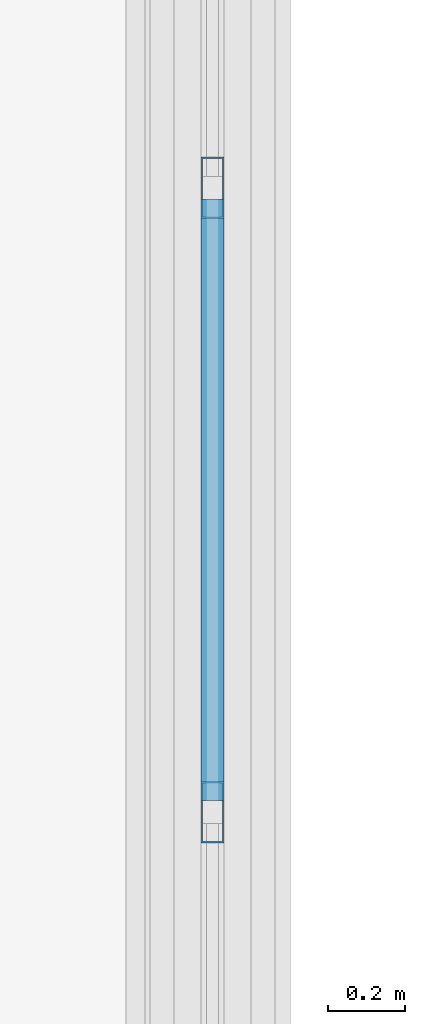
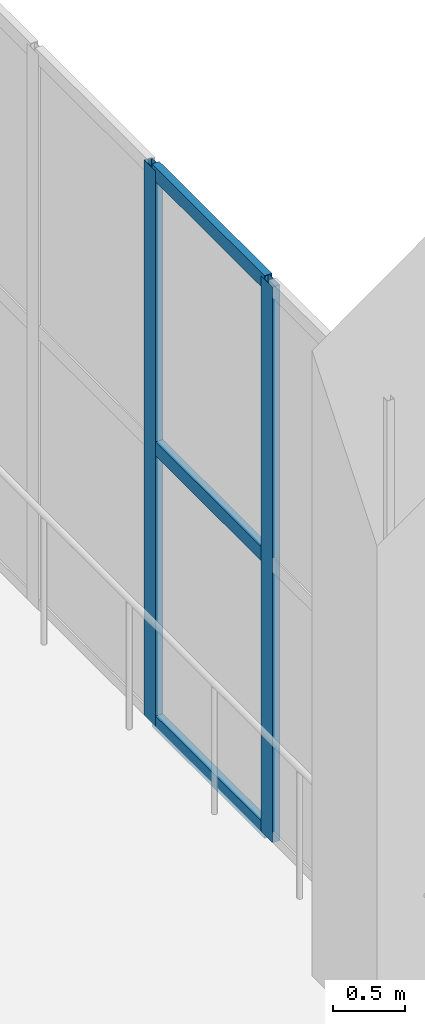
# One storey, part 110 of 223: 5 members, 1 element without a shape of its own.
"""IFC4 building model written with IfcOpenShell, lengths in metres."""

from ifc_helpers import new_model, si_unit, direction, frame, origin, origin_2d, place, context, subcontext, project, spatial, hollow_rectangle, extrude, material, layer, layer_set, material_profile, profile_set, type_object, element, aggregate, save


model = new_model("IFC4")

# Units and contexts
model_context = context("Model", 3, precision=1e-05, world=origin(), true_north=direction((0.0, 1.0)))
body_context = subcontext(model_context, "Body", "Model", "MODEL_VIEW")
ifc_project = project(units=[si_unit("LENGTHUNIT", "METRE"), si_unit("AREAUNIT", "SQUARE_METRE"), si_unit("VOLUMEUNIT", "CUBIC_METRE"), si_unit("PLANEANGLEUNIT", "RADIAN"), si_unit("MASSUNIT", "GRAM", prefix="KILO")], contexts=[model_context])

# Site, building, storey
site_placement = place(None, origin())
site = spatial("IfcSite", under=ifc_project, at=site_placement, CompositionType="ELEMENT")
building_placement = place(site_placement, origin())
building = spatial("IfcBuilding", under=site, at=building_placement, Name="Dornveld Trade and Exhibition Forum", CompositionType="ELEMENT")
storey_placement = place(building_placement, frame((0.0, 0.0, 6.0)))
storey = spatial("IfcBuildingStorey", under=building, at=storey_placement, Name="L01", CompositionType="ELEMENT", Elevation=6.0)

# Curtain wall, members
ifc_material_1 = material(Name="Dark-bronze anodised aluminium and low-E glass", Category="aluminium")
ifc_layer = layer(ifc_material_1, 0.177978515625)
ifc_layer_set = layer_set([ifc_layer], Name="Dark-bronze anodised aluminium and low-E glass")
curtain_wall_type = type_object("IfcCurtainWallType", Name="CW-SYS-12", PredefinedType="USERDEFINED", material=ifc_layer_set)
curtain_wall_placement = place(storey_placement, origin())
curtain_wall = element("IfcCurtainWall", 1, at=curtain_wall_placement, inside=storey, type_object=curtain_wall_type, Name="L01 unitised curtain wall 12", ObjectType="UNITISED_CURTAIN_WALL", PredefinedType="USERDEFINED")
ifc_material_2 = material(Name="Dark-bronze anodised aluminium", Category="aluminium")
ifc_material_profile_1 = material_profile(ifc_material_2, hollow_rectangle(XDim=0.06005859375, YDim=0.159912109375, WallThickness=0.00390625, at=origin_2d()), Name="RHS 160x60x4")
ifc_profile_set_1 = profile_set([ifc_material_profile_1], Name="Dark-bronze anodised aluminium")
member_type_1 = type_object("IfcMemberType", Name="CW-MUL-160", PredefinedType="MULLION", material=ifc_profile_set_1)
member_1_placement = place(storey_placement, frame((99.0, 129.689208984375, -0.00390625), z_axis=(0.0, 0.0, 1.0), x_axis=(1.0, 0.0, 0.0)))
member_1 = element("IfcMember", 2, at=member_1_placement, type_object=member_type_1, Name="CW-12 mullion 4", PredefinedType="MULLION", context=body_context, shape_type="SweptSolid", body=[
    extrude(hollow_rectangle(XDim=0.06005859375, YDim=0.159912109375, WallThickness=0.00390625, at=origin_2d()), origin(), (0.0, 0.0, 1.0), 4.703857421875),
])
member_2_placement = place(storey_placement, frame((99.0, 128.067626953125, -0.00390625), z_axis=(0.0, 0.0, 1.0), x_axis=(1.0, 0.0, 0.0)))
member_2 = element("IfcMember", 3, at=member_2_placement, type_object=member_type_1, Name="CW-12 mullion 5", PredefinedType="MULLION", context=body_context, shape_type="SweptSolid", body=[
    extrude(hollow_rectangle(XDim=0.06005859375, YDim=0.159912109375, WallThickness=0.00390625, at=origin_2d()), origin(), (0.0, 0.0, 1.0), 4.703857421875),
])
ifc_material_3 = material(Name="Dark-bronze anodised aluminium", Category="aluminium")
ifc_material_profile_2 = material_profile(ifc_material_3, hollow_rectangle(XDim=0.06005859375, YDim=0.1201171875, WallThickness=0.00390625, at=origin_2d()), Name="RHS 120x60x4")
ifc_profile_set_2 = profile_set([ifc_material_profile_2], Name="Dark-bronze anodised aluminium")
member_type_2 = type_object("IfcMemberType", Name="CW-TRN-120", PredefinedType="USERDEFINED", material=ifc_profile_set_2)
member_3_placement = place(storey_placement, frame((99.0, 129.6591796875, 0.02587890625), z_axis=(0.0, -1.0, 0.0), x_axis=(1.0, 0.0, 0.0)))
member_3 = element("IfcMember", 4, at=member_3_placement, type_object=member_type_2, Name="CW-12 transom 4.1", ObjectType="TRANSOM", PredefinedType="USERDEFINED", context=body_context, shape_type="SweptSolid", body=[
    extrude(hollow_rectangle(XDim=0.06005859375, YDim=0.1201171875, WallThickness=0.00390625, at=origin_2d()), origin(), (0.0, 0.0, 1.0), 1.5615234375),
])
member_4_placement = place(storey_placement, frame((99.0, 129.6591796875, 2.347900390625), z_axis=(0.0, -1.0, 0.0), x_axis=(1.0, 0.0, 0.0)))
member_4 = element("IfcMember", 5, at=member_4_placement, type_object=member_type_2, Name="CW-12 transom 4.2", ObjectType="TRANSOM", PredefinedType="USERDEFINED", context=body_context, shape_type="SweptSolid", body=[
    extrude(hollow_rectangle(XDim=0.06005859375, YDim=0.1201171875, WallThickness=0.00390625, at=origin_2d()), origin(), (0.0, 0.0, 1.0), 1.5615234375),
])
member_5_placement = place(storey_placement, frame((99.0, 129.6591796875, 4.669921875), z_axis=(0.0, -1.0, 0.0), x_axis=(1.0, 0.0, 0.0)))
member_5 = element("IfcMember", 6, at=member_5_placement, type_object=member_type_2, Name="CW-12 transom 4.3", ObjectType="TRANSOM", PredefinedType="USERDEFINED", context=body_context, shape_type="SweptSolid", body=[
    extrude(hollow_rectangle(XDim=0.06005859375, YDim=0.1201171875, WallThickness=0.00390625, at=origin_2d()), origin(), (0.0, 0.0, 1.0), 1.5615234375),
])
aggregate(curtain_wall, [member_1, member_2, member_3, member_4, member_5])

save(model, "model.ifc")
